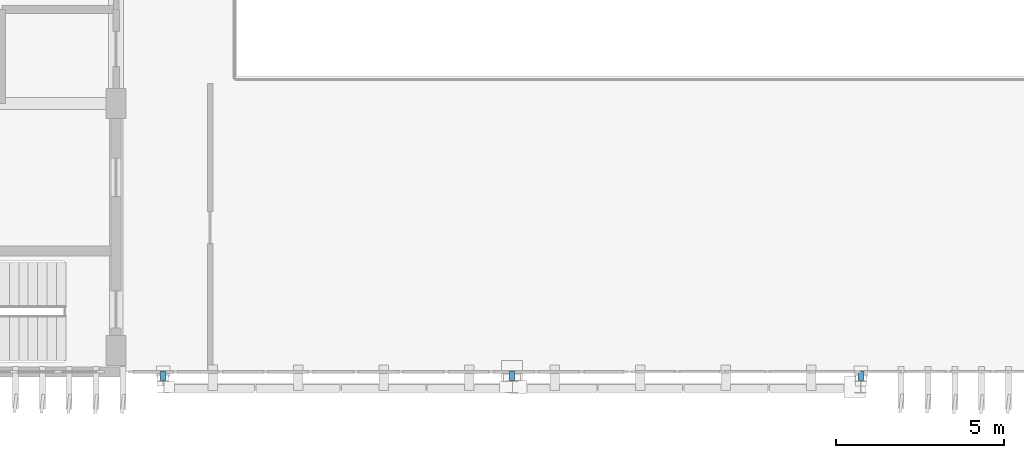
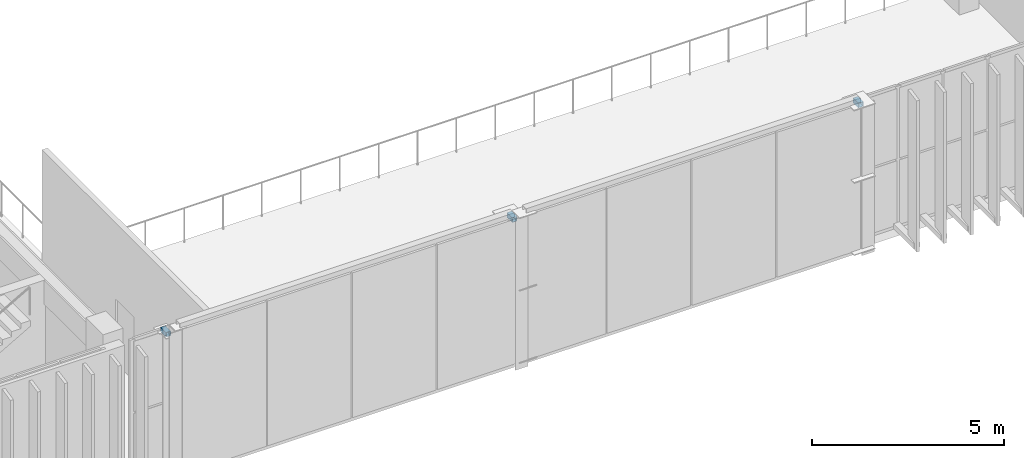
# One storey, part 27 of 64: 3 members.
"""IFC4 building model written with IfcOpenShell, lengths in metres."""

from ifc_helpers import new_model, si_unit, direction, frame, origin, origin_2d, place, context, subcontext, project, spatial, hollow_rectangle, extrude, material, material_profile, profile_set, type_object, element, save


model = new_model("IFC4")

# Units and contexts
model_context = context("Model", 3, precision=1e-05, world=origin(), true_north=direction((0.0, 1.0)))
body_context = subcontext(model_context, "Body", "Model", "MODEL_VIEW")
ifc_project = project(units=[si_unit("LENGTHUNIT", "METRE"), si_unit("AREAUNIT", "SQUARE_METRE"), si_unit("VOLUMEUNIT", "CUBIC_METRE"), si_unit("PLANEANGLEUNIT", "RADIAN"), si_unit("MASSUNIT", "GRAM", prefix="KILO")], contexts=[model_context])

# Site, building, storey
site_placement = place(None, origin())
site = spatial("IfcSite", under=ifc_project, at=site_placement, CompositionType="ELEMENT")
building_placement = place(site_placement, origin())
building = spatial("IfcBuilding", under=site, at=building_placement, Name="Cinchona Park Media Centre", CompositionType="ELEMENT")
storey_placement = place(building_placement, frame((0.0, 0.0, 5.39990234375)))
storey = spatial("IfcBuildingStorey", under=building, at=storey_placement, Name="L01", CompositionType="ELEMENT", Elevation=5.39990234375)

# Members
ifc_material = material(Name="Steel S355", Category="steel")
ifc_material_profile = material_profile(ifc_material, hollow_rectangle(XDim=0.14990234375, YDim=0.14990234375, WallThickness=0.010009765625, at=origin_2d()), Name="150X150X10SHS")
ifc_profile_set = profile_set([ifc_material_profile], Name="Steel S355")
member_type = type_object("IfcMemberType", Name="MEMBER-TS03-SHS150X150X10", PredefinedType="STRUT", material=ifc_profile_set)
for number, where, z_axis, x_axis, name in (
    (1, (16.800048828125, 7.340087890625, 4.5), (0.0, 1.0, 0.0), (-1.0, 0.0, 0.0), "Screen Portal Tie Strut TS03 L01"),
    (2, (27.199951171875, 7.340087890625, 4.5), (0.0, 1.0, 0.0), (-1.0, 0.0, 0.0), "Screen Portal Tie Strut TS03 L01"),
    (3, (37.60009765625, 7.340087890625, 4.5), (0.0, 1.0, 0.0), (-1.0, 0.0, 0.0), "Screen Portal Tie Strut TS03 L01"),
):
    element("IfcMember", number, at=place(storey_placement, frame(where, z_axis=z_axis, x_axis=x_axis)), inside=storey, type_object=member_type, Name=name, PredefinedType="STRUT", context=body_context, shape_type="SweptSolid", body=[
        extrude(hollow_rectangle(XDim=0.14990234375, YDim=0.14990234375, WallThickness=0.010009765625, at=origin_2d()), origin(), (0.0, 0.0, 1.0), 0.280029296875),
    ])

save(model, "model.ifc")
